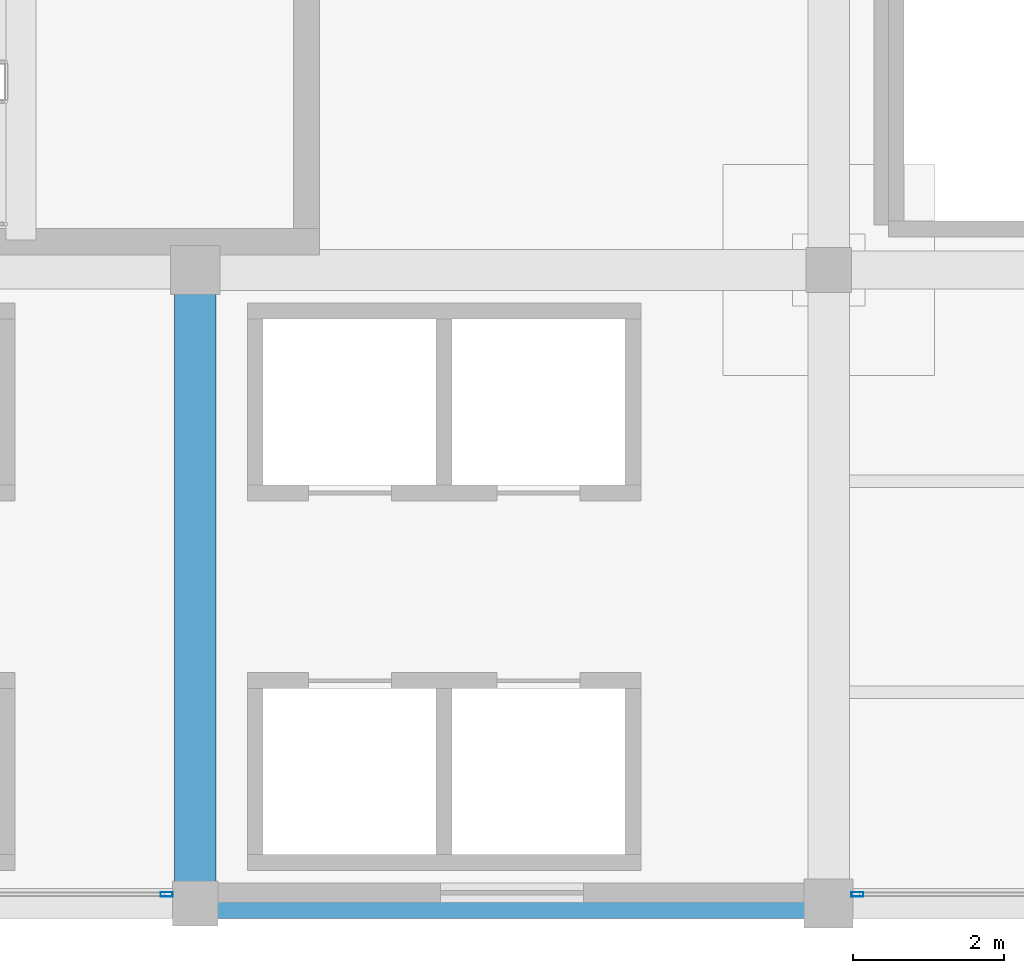
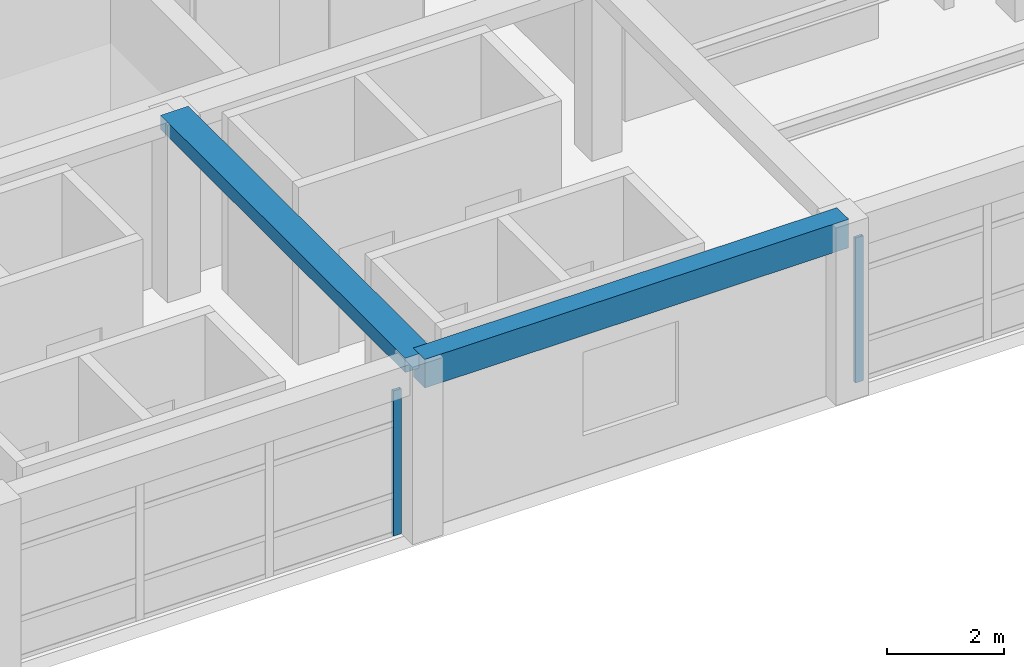
# One storey, part 4 of 26: 2 beams, 2 members, 2 elements without a shape of their own.
"""IFC4 building model written with IfcOpenShell, lengths in metres."""

from ifc_helpers import new_model, si_unit, direction, frame, origin, origin_2d, place, context, subcontext, project, spatial, rectangle, hollow_rectangle, extrude, material, material_profile, profile_set, type_object, element, aggregate, save


model = new_model("IFC4")

# Units and contexts
model_context = context("Model", 3, precision=1e-05, world=origin(), true_north=direction((0.0, 1.0)))
body_context = subcontext(model_context, "Body", "Model", "MODEL_VIEW")
ifc_project = project(units=[si_unit("LENGTHUNIT", "METRE"), si_unit("AREAUNIT", "SQUARE_METRE"), si_unit("VOLUMEUNIT", "CUBIC_METRE"), si_unit("PLANEANGLEUNIT", "RADIAN"), si_unit("MASSUNIT", "GRAM", prefix="KILO")], contexts=[model_context])

# Site, building, storey
site_placement = place(None, origin())
site = spatial("IfcSite", under=ifc_project, at=site_placement, CompositionType="ELEMENT")
building_placement = place(site_placement, origin())
building = spatial("IfcBuilding", under=site, at=building_placement, Name="Almacenes y Pasaje Nevantli", CompositionType="ELEMENT")
storey_placement = place(building_placement, frame((0.0, 0.0, 42.699951171875)))
storey = spatial("IfcBuildingStorey", under=building, at=storey_placement, Name="L10", CompositionType="ELEMENT", Elevation=42.699951171875)

# Beams
ifc_material_1 = material(Name="Concrete C35/45", Category="concrete")
ifc_material_profile_1 = material_profile(ifc_material_1, rectangle(XDim=0.39990234375, YDim=0.60009765625, at=origin_2d()), Name="RC-BM-400x600")
ifc_profile_set_1 = profile_set([ifc_material_profile_1], Name="Concrete C35/45")
beam_type_1 = type_object("IfcBeamType", Name="BM-RC-400x600", PredefinedType="SPANDREL", material=ifc_profile_set_1)
beam_1_placement = place(storey_placement, frame((126.0, 67.199951171875, 3.420166015625), z_axis=(1.0, 0.0, 0.0), x_axis=(0.0, 1.0, 0.0)))
element("IfcBeam", 1, at=beam_1_placement, inside=storey, type_object=beam_type_1, Name="L10 East-West Reinforced Concrete Beam #3798", PredefinedType="SPANDREL", context=body_context, shape_type="SweptSolid", body=[
    extrude(rectangle(XDim=0.39990234375, YDim=0.60009765625, at=origin_2d()), origin(), (0.0, 0.0, 1.0), 8.39990234375),
])
ifc_material_2 = material(Name="Concrete C35/45", Category="concrete")
ifc_material_profile_2 = material_profile(ifc_material_2, rectangle(XDim=0.550048828125, YDim=0.300048828125, at=origin_2d()), Name="RC-BM-550x300")
ifc_profile_set_2 = profile_set([ifc_material_profile_2], Name="Concrete C35/45")
beam_type_2 = type_object("IfcBeamType", Name="BM-RC-550x300", PredefinedType="BEAM", material=ifc_profile_set_2)
beam_2_placement = place(storey_placement, frame((126.0, 67.199951171875, 3.570068359375), z_axis=(0.0, 1.0, 0.0), x_axis=(-1.0, 0.0, 0.0)))
element("IfcBeam", 2, at=beam_2_placement, inside=storey, type_object=beam_type_2, Name="L10 North-South Reinforced Concrete Beam #3826", PredefinedType="BEAM", context=body_context, shape_type="SweptSolid", body=[
    extrude(rectangle(XDim=0.550048828125, YDim=0.300048828125, at=origin_2d()), origin(), (0.0, 0.0, 1.0), 8.400146484375),
])

# Curtain wall, member
ifc_material_3 = material(Name="Thermally Broken Aluminium and Low-E Glass", Category="aluminium")
curtain_wall_type = type_object("IfcCurtainWallType", Name="CW-UNIT-TOWER", PredefinedType="USERDEFINED", material=ifc_material_3)
curtain_wall_1_placement = place(storey_placement, origin())
curtain_wall_1 = element("IfcCurtainWall", 3, at=curtain_wall_1_placement, inside=storey, type_object=curtain_wall_type, Name="L10 Tower South Unitized Curtain Wall Bay 15", ObjectType="UNITIZED CURTAIN WALL", PredefinedType="USERDEFINED")
ifc_material_4 = material(Name="Thermally Broken Anodized Aluminium", Category="aluminium")
ifc_material_profile_3 = material_profile(ifc_material_4, hollow_rectangle(XDim=0.06005859375, YDim=0.159912109375, WallThickness=0.00390625, at=origin_2d()), Name="ALU-MUL-60x160")
ifc_profile_set_3 = profile_set([ifc_material_profile_3], Name="Thermally Broken Anodized Aluminium")
member_type = type_object("IfcMemberType", Name="CW-MUL-180", PredefinedType="MULLION", material=ifc_profile_set_3)
member_1_placement = place(storey_placement, frame((125.6201171875, 67.320068359375, 0.0), z_axis=(0.0, 0.0, 1.0), x_axis=(0.0, 1.0, 0.0)))
member_1 = element("IfcMember", 4, at=member_1_placement, type_object=member_type, Name="CW-L10-141 mullion 4", PredefinedType="MULLION", context=body_context, shape_type="SweptSolid", body=[
    extrude(hollow_rectangle(XDim=0.06005859375, YDim=0.159912109375, WallThickness=0.00390625, at=origin_2d()), origin(), (0.0, 0.0, 1.0), 3.0400390625),
])
aggregate(curtain_wall_1, [member_1])

curtain_wall_2_placement = place(storey_placement, origin())
curtain_wall_2 = element("IfcCurtainWall", 5, at=curtain_wall_2_placement, inside=storey, type_object=curtain_wall_type, Name="L10 Tower South Unitized Curtain Wall Bay 17", ObjectType="UNITIZED CURTAIN WALL", PredefinedType="USERDEFINED")
member_2_placement = place(storey_placement, frame((134.780029296875, 67.320068359375, 0.0), z_axis=(0.0, 0.0, 1.0), x_axis=(0.0, 1.0, 0.0)))
member_2 = element("IfcMember", 6, at=member_2_placement, type_object=member_type, Name="CW-L10-143 mullion 1", PredefinedType="MULLION", context=body_context, shape_type="SweptSolid", body=[
    extrude(hollow_rectangle(XDim=0.06005859375, YDim=0.159912109375, WallThickness=0.00390625, at=origin_2d()), origin(), (0.0, 0.0, 1.0), 3.0400390625),
])
aggregate(curtain_wall_2, [member_2])

save(model, "model.ifc")
